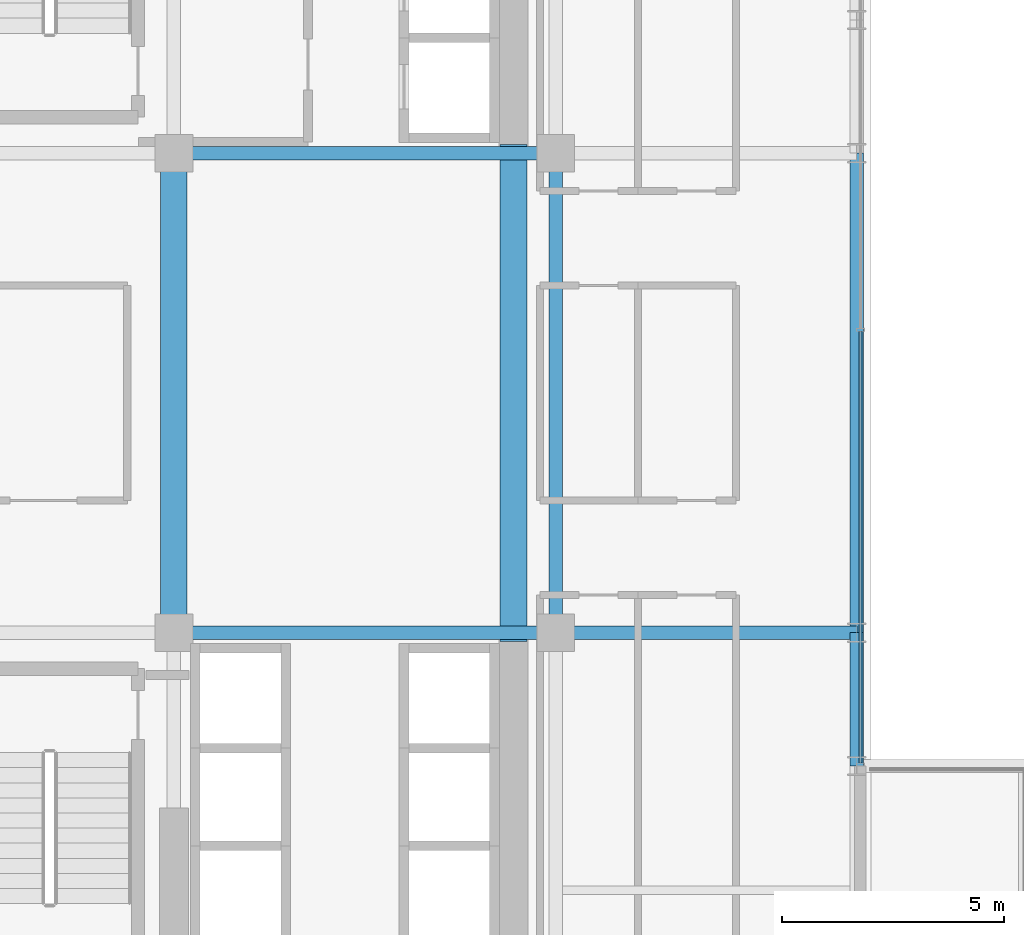
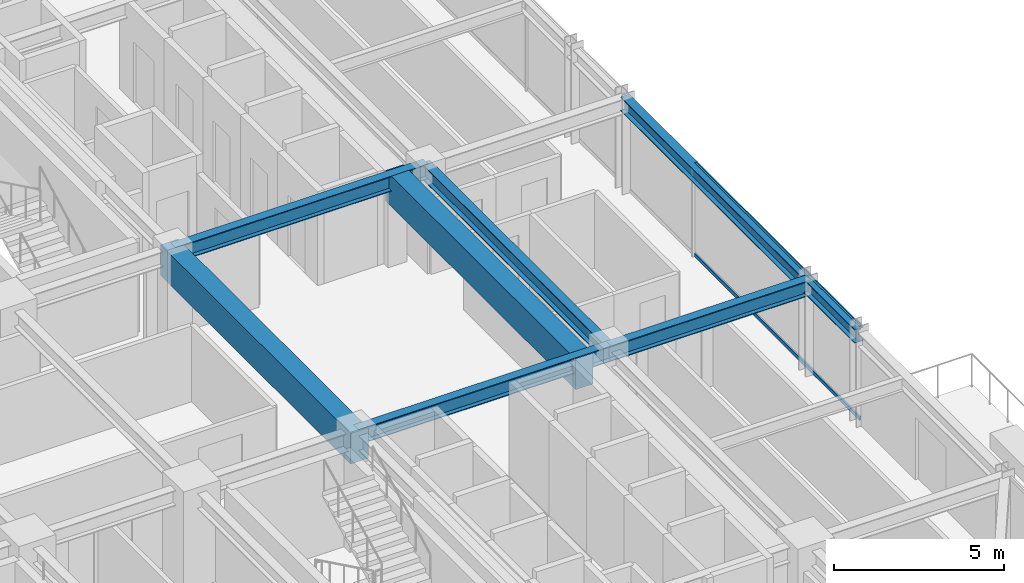
# One storey, part 14 of 41: 8 beams, 2 members, 1 element without a shape of its own.
"""IFC4 building model written with IfcOpenShell, lengths in metres."""

from ifc_helpers import new_model, si_unit, direction, frame, origin, origin_2d, place, context, subcontext, project, spatial, rectangle, hollow_rectangle, i_section, extrude, source, transform, mapped, material, material_profile, profile_set, type_object, element, aggregate, save


model = new_model("IFC4")

# Units and contexts
model_context = context("Model", 3, precision=1e-05, world=origin(), true_north=direction((0.0, 1.0)))
body_context = subcontext(model_context, "Body", "Model", "MODEL_VIEW")
ifc_project = project(units=[si_unit("LENGTHUNIT", "METRE"), si_unit("AREAUNIT", "SQUARE_METRE"), si_unit("VOLUMEUNIT", "CUBIC_METRE"), si_unit("PLANEANGLEUNIT", "RADIAN"), si_unit("MASSUNIT", "GRAM", prefix="KILO")], contexts=[model_context])

# Site, building, storey
site_placement = place(None, origin())
site = spatial("IfcSite", under=ifc_project, at=site_placement, CompositionType="ELEMENT")
building_placement = place(site_placement, origin())
building = spatial("IfcBuilding", under=site, at=building_placement, Name="Nahalor Promenade Grand Hotel", CompositionType="ELEMENT")
storey_placement = place(building_placement, frame((0.0, 0.0, 113.85009765625)))
storey = spatial("IfcBuildingStorey", under=building, at=storey_placement, Name="L28", CompositionType="ELEMENT", Elevation=113.85009765625)

# Beams
ifc_material_1 = material(Name="Concrete B-60 (C50/60)", Category="concrete")
ifc_material_profile_1 = material_profile(ifc_material_1, rectangle(XDim=0.6, YDim=1.1, at=origin_2d()), Name="RC 600x1100")
ifc_profile_set_1 = profile_set([ifc_material_profile_1], Name="Concrete B-60 (C50/60)")
beam_type_1 = type_object("IfcBeamType", Name="Beam-Lintel-RC1100", PredefinedType="LINTEL", material=ifc_profile_set_1)
shared_shape_1 = source(origin(), body_context, "Body", "SweptSolid", [
    extrude(rectangle(XDim=0.6, YDim=1.1, at=origin_2d()), origin(), (0.0, 0.0, 1.0), 11.2001953125),
])
for number, where, z_axis, x_axis, name in (
    (1, (8.39990234375, -5.60009765625, 2.829833984375), (0.0, 1.0, 0.0), (-1.0, 0.0, 0.0), "BM-L28-LINT-W"),
    (2, (16.050048828125, -5.60009765625, 2.829833984375), (0.0, 1.0, 0.0), (-1.0, 0.0, 0.0), "BM-L28-LINT-E"),
):
    element("IfcBeam", number, at=place(storey_placement, frame(where, z_axis=z_axis, x_axis=x_axis)), inside=storey, type_object=beam_type_1, Name=name, PredefinedType="LINTEL", context=body_context, shape_type="MappedRepresentation", body=[
        mapped(shared_shape_1, transform((0.0, 0.0, 0.0), scale=1.0)),
    ])
ifc_material_2 = material(Name="Steel S355JR", Category="steel")
ifc_material_profile_2 = material_profile(ifc_material_2, i_section(OverallWidth=0.3, OverallDepth=0.5, WebThickness=0.0145, FlangeThickness=0.028, at=origin_2d()), Name="HEB 500")
ifc_profile_set_2 = profile_set([ifc_material_profile_2], Name="Steel S355JR")
beam_type_2 = type_object("IfcBeamType", Name="Beam-Spandrel-HEB500", PredefinedType="SPANDREL", material=ifc_profile_set_2)
shared_shape_2 = source(origin(), body_context, "Body", "SweptSolid", [
    extrude(i_section(OverallWidth=0.3, OverallDepth=0.5, WebThickness=0.0145, FlangeThickness=0.028, at=origin_2d()), origin(), (0.0, 0.0, 1.0), 3.0),
])
beam_1_placement = place(storey_placement, frame((23.780029296875, -8.39990234375, 3.1298828125), z_axis=(0.0, 1.0, 0.0), x_axis=(-1.0, 0.0, 0.0)))
element("IfcBeam", 3, at=beam_1_placement, inside=storey, type_object=beam_type_2, Name="BM-L28-SP-E-1", PredefinedType="SPANDREL", context=body_context, shape_type="MappedRepresentation", body=[
    mapped(shared_shape_2, transform((0.0, 0.0, 0.0), scale=1.0)),
])
shared_shape_3 = source(origin(), body_context, "Body", "SweptSolid", [
    extrude(i_section(OverallWidth=0.3, OverallDepth=0.5, WebThickness=0.0145, FlangeThickness=0.028, at=origin_2d()), origin(), (0.0, 0.0, 1.0), 10.7998046875),
])
beam_2_placement = place(storey_placement, frame((23.780029296875, -5.39990234375, 3.1298828125), z_axis=(0.0, 1.0, 0.0), x_axis=(-1.0, 0.0, 0.0)))
element("IfcBeam", 4, at=beam_2_placement, inside=storey, type_object=beam_type_2, Name="BM-L28-SP-E-2", PredefinedType="SPANDREL", context=body_context, shape_type="MappedRepresentation", body=[
    mapped(shared_shape_3, transform((0.0, 0.0, 0.0), scale=1.0)),
])
ifc_material_profile_3 = material_profile(ifc_material_2, i_section(OverallWidth=0.3, OverallDepth=0.55, WebThickness=0.015, FlangeThickness=0.029, at=origin_2d()), Name="HEB 550")
ifc_profile_set_3 = profile_set([ifc_material_profile_3], Name="Steel S355JR")
beam_type_3 = type_object("IfcBeamType", Name="Beam-Girder-HEB550", PredefinedType="BEAM", material=ifc_profile_set_3)
shared_shape_4 = source(origin(), body_context, "Body", "SweptSolid", [
    extrude(i_section(OverallWidth=0.3, OverallDepth=0.55, WebThickness=0.015, FlangeThickness=0.029, at=origin_2d()), origin(), (0.0, 0.0, 1.0), 6.780029296875),
])
beam_3_placement = place(storey_placement, frame((17.0, -5.39990234375, 3.10498046875), z_axis=(1.0, 0.0, 0.0), x_axis=(0.0, 1.0, 0.0)))
element("IfcBeam", 5, at=beam_3_placement, inside=storey, type_object=beam_type_3, Name="BM-L28-GX-1-6", PredefinedType="BEAM", context=body_context, shape_type="MappedRepresentation", body=[
    mapped(shared_shape_4, transform((0.0, 0.0, 0.0), scale=1.0)),
])
shared_shape_5 = source(origin(), body_context, "Body", "SweptSolid", [
    extrude(i_section(OverallWidth=0.3, OverallDepth=0.55, WebThickness=0.015, FlangeThickness=0.029, at=origin_2d()), origin(), (0.0, 0.0, 1.0), 8.60009765625),
])
for number, where, z_axis, x_axis, name in (
    (6, (8.39990234375, -5.39990234375, 3.10498046875), (1.0, 0.0, 0.0), (0.0, 1.0, 0.0), "BM-L28-GX-1-5"),
    (7, (8.39990234375, 5.39990234375, 3.10498046875), (1.0, 0.0, 0.0), (0.0, 1.0, 0.0), "BM-L28-GX-2-5"),
):
    element("IfcBeam", number, at=place(storey_placement, frame(where, z_axis=z_axis, x_axis=x_axis)), inside=storey, type_object=beam_type_3, Name=name, PredefinedType="BEAM", context=body_context, shape_type="MappedRepresentation", body=[
        mapped(shared_shape_5, transform((0.0, 0.0, 0.0), scale=1.0)),
    ])
shared_shape_6 = source(origin(), body_context, "Body", "SweptSolid", [
    extrude(i_section(OverallWidth=0.3, OverallDepth=0.55, WebThickness=0.015, FlangeThickness=0.029, at=origin_2d()), origin(), (0.0, 0.0, 1.0), 10.7998046875),
])
beam_4_placement = place(storey_placement, frame((17.0, -5.39990234375, 3.10498046875), z_axis=(0.0, 1.0, 0.0), x_axis=(-1.0, 0.0, 0.0)))
element("IfcBeam", 8, at=beam_4_placement, inside=storey, type_object=beam_type_3, Name="BM-L28-GY-5-2", PredefinedType="BEAM", context=body_context, shape_type="MappedRepresentation", body=[
    mapped(shared_shape_6, transform((0.0, 0.0, 0.0), scale=1.0)),
])

# Curtain wall, members
ifc_material_3 = material(Name="Anodised Bronze Aluminium EN AW-6063 T6", Category="aluminium")
curtain_wall_type = type_object("IfcCurtainWallType", Name="CW2 Typical Hotel Flush Bronze Unitised Curtain Wall", PredefinedType="USERDEFINED", material=ifc_material_3)
curtain_wall_placement = place(storey_placement, origin())
curtain_wall = element("IfcCurtainWall", 9, at=curtain_wall_placement, inside=storey, type_object=curtain_wall_type, Name="L28 Curtain Wall CW-L28-E-3", ObjectType="UNITISED_CURTAIN_WALL", PredefinedType="USERDEFINED")
ifc_material_profile_4 = material_profile(ifc_material_3, hollow_rectangle(XDim=0.065, YDim=0.13, WallThickness=0.004, at=origin_2d()), Name="CWT 65x130x4")
ifc_profile_set_4 = profile_set([ifc_material_profile_4], Name="Anodised Bronze Aluminium EN AW-6063 T6")
member_type = type_object("IfcMemberType", Name="CWT2 Typical Bronze Transom 65x130", PredefinedType="USERDEFINED", material=ifc_profile_set_4)
shared_shape_7 = source(origin(), body_context, "Body", "SweptSolid", [
    extrude(hollow_rectangle(XDim=0.065, YDim=0.13, WallThickness=0.004, at=origin_2d()), origin(), (0.0, 0.0, 1.0), 9.722412109375),
])
member_1_placement = place(storey_placement, frame((23.860107421875, -8.3349609375, 0.06494140625), z_axis=(0.0, 1.0, 0.0), x_axis=(-1.0, 0.0, 0.0)))
member_1 = element("IfcMember", 10, at=member_1_placement, type_object=member_type, Name="CW-L28-E-3 Transom 0-0", ObjectType="TRANSOM", PredefinedType="USERDEFINED", context=body_context, shape_type="MappedRepresentation", body=[
    mapped(shared_shape_7, transform((0.0, 0.0, 0.0), scale=1.0)),
])
member_2_placement = place(storey_placement, frame((23.860107421875, -8.3349609375, 3.31494140625), z_axis=(0.0, 1.0, 0.0), x_axis=(-1.0, 0.0, 0.0)))
member_2 = element("IfcMember", 11, at=member_2_placement, type_object=member_type, Name="CW-L28-E-3 Transom 0-1", ObjectType="TRANSOM", PredefinedType="USERDEFINED", context=body_context, shape_type="MappedRepresentation", body=[
    mapped(shared_shape_7, transform((0.0, 0.0, 0.0), scale=1.0)),
])
aggregate(curtain_wall, [member_1, member_2])

save(model, "model.ifc")
